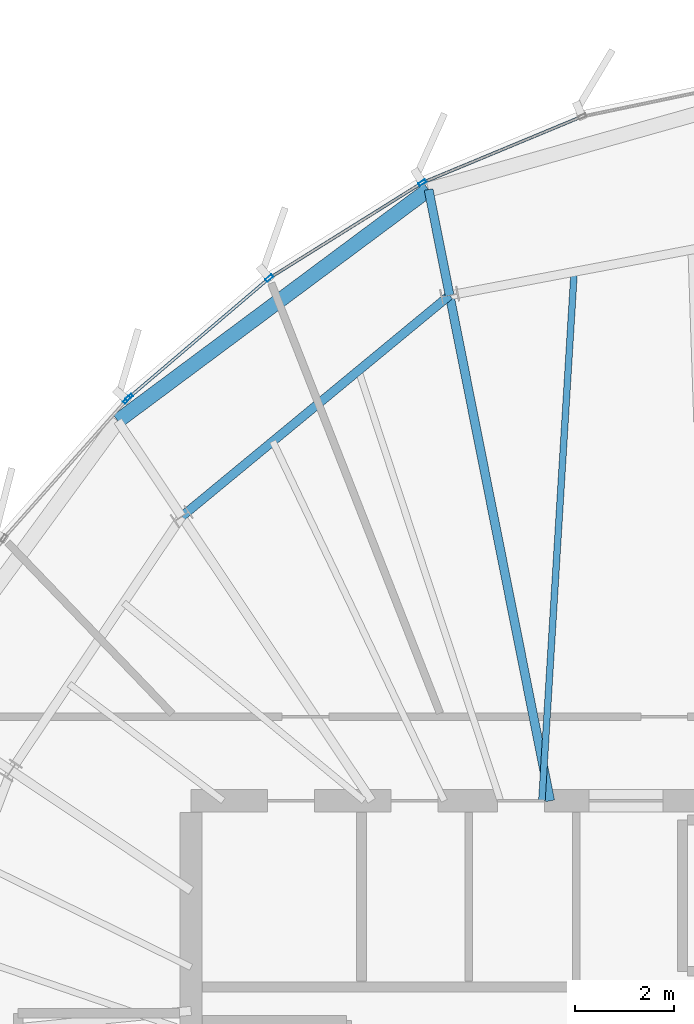
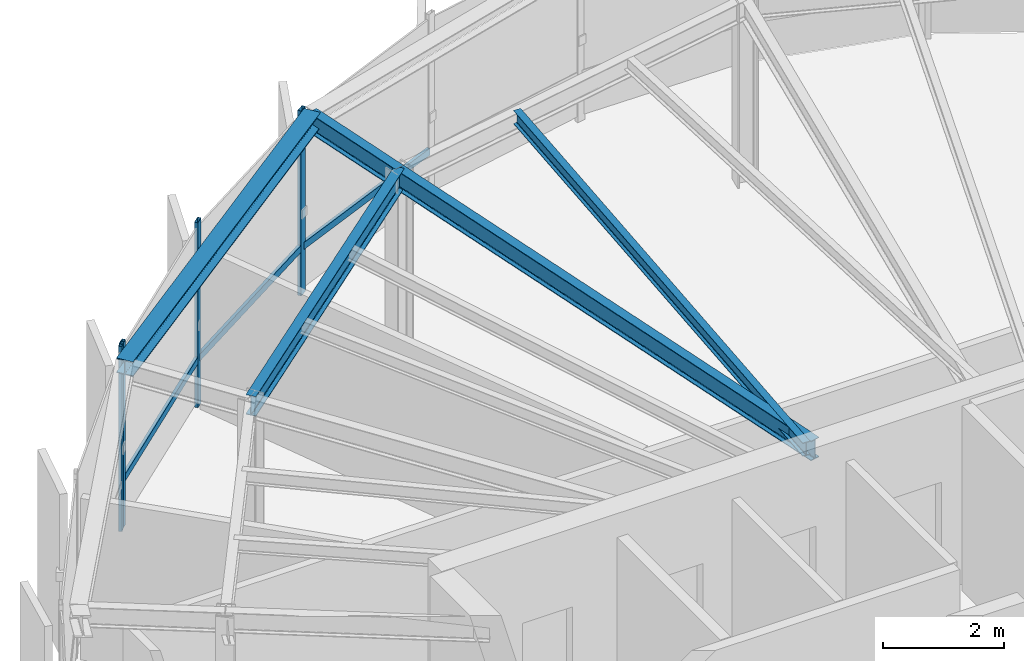
# One storey, part 15 of 27: 7 members, 5 beams, 2 elements without a shape of their own.
"""IFC4 building model written with IfcOpenShell, lengths in metres."""

from ifc_helpers import new_model, si_unit, direction, frame, origin, origin_2d, place, context, subcontext, project, spatial, hollow_rectangle, i_section, extrude, source, transform, mapped, material, layer, layer_set, material_profile, profile_set, type_object, element, aggregate, save


model = new_model("IFC4")

# Units and contexts
model_context = context("Model", 3, precision=1e-05, world=origin(), true_north=direction((0.0, 1.0)))
body_context = subcontext(model_context, "Body", "Model", "MODEL_VIEW")
ifc_project = project(units=[si_unit("LENGTHUNIT", "METRE"), si_unit("AREAUNIT", "SQUARE_METRE"), si_unit("VOLUMEUNIT", "CUBIC_METRE"), si_unit("PLANEANGLEUNIT", "RADIAN"), si_unit("MASSUNIT", "GRAM", prefix="KILO"), si_unit("THERMODYNAMICTEMPERATUREUNIT", "KELVIN")], contexts=[model_context])

# Site, building, storey
site_placement = place(None, origin())
site = spatial("IfcSite", under=ifc_project, at=site_placement, CompositionType="ELEMENT")
building_placement = place(site_placement, origin())
building = spatial("IfcBuilding", under=site, at=building_placement, Name="Kethvar Cultural Tower", CompositionType="ELEMENT")
storey_placement = place(building_placement, frame((0.0, 0.0, 308.300048828125)))
storey = spatial("IfcBuildingStorey", under=building, at=storey_placement, Name="L82", CompositionType="ELEMENT", Elevation=308.300048828125)

# Beams
ifc_material_1 = material(Name="Steel S355J2", Category="steel")
ifc_material_profile_1 = material_profile(ifc_material_1, i_section(OverallWidth=0.135009765625, OverallDepth=0.27001953125, WebThickness=0.006591796875, FlangeThickness=0.01025390625, FilletRadius=0.014892578125, at=origin_2d()), Name="Steel S355J2 — IPE270")
ifc_profile_set_1 = profile_set([ifc_material_profile_1], Name="Steel S355J2 — IPE270")
beam_type_1 = type_object("IfcBeamType", Name="BM-J270", PredefinedType="JOIST", material=ifc_profile_set_1)
shared_shape_1 = source(origin(), body_context, "Body", "SweptSolid", [
    extrude(i_section(OverallWidth=0.135009765625, OverallDepth=0.27001953125, WebThickness=0.006591796875, FlangeThickness=0.01025390625, FilletRadius=0.014892578125, at=origin_2d()), origin(), (0.0, 0.0, 1.0), 10.727783203125),
])
beam_1_placement = place(storey_placement, frame((45.10009765625, 35.5, 3.597900390625), z_axis=(0.060876395586, 0.998145312297, 0.0), x_axis=(-0.998145312297, 0.060876395586, 0.0)))
element("IfcBeam", 1, at=beam_1_placement, inside=storey, type_object=beam_type_1, Name="L82 Composite Floor Joist J-04B", PredefinedType="JOIST", context=body_context, shape_type="MappedRepresentation", body=[
    mapped(shared_shape_1, transform((0.0, 0.0, 0.0), scale=1.0)),
])
ifc_material_profile_2 = material_profile(ifc_material_1, i_section(OverallWidth=0.179931640625, OverallDepth=0.39990234375, WebThickness=0.008544921875, FlangeThickness=0.013427734375, FilletRadius=0.02099609375, at=origin_2d()), Name="Steel S355J2 — IPE400")
ifc_profile_set_2 = profile_set([ifc_material_profile_2], Name="Steel S355J2 — IPE400")
beam_type_2 = type_object("IfcBeamType", Name="BM-IPE400", PredefinedType="BEAM", material=ifc_profile_set_2)
shared_shape_2 = source(origin(), body_context, "Body", "SweptSolid", [
    extrude(i_section(OverallWidth=0.179931640625, OverallDepth=0.39990234375, WebThickness=0.008544921875, FlangeThickness=0.013427734375, FilletRadius=0.02099609375, at=origin_2d()), origin(), (0.0, 0.0, 1.0), 10.432861328125),
])
beam_2_placement = place(storey_placement, frame((45.268310546875, 35.5, 3.532958984375), z_axis=(-0.195094483249, 0.980784452673, 0.0), x_axis=(-0.980784452673, -0.195094483249, 0.0)))
element("IfcBeam", 2, at=beam_2_placement, inside=storey, type_object=beam_type_2, Name="L82 Primary Radial Beam RB-05", PredefinedType="BEAM", context=body_context, shape_type="MappedRepresentation", body=[
    mapped(shared_shape_2, transform((0.0, 0.0, 0.0), scale=1.0)),
])
shared_shape_3 = source(origin(), body_context, "Body", "SweptSolid", [
    extrude(i_section(OverallWidth=0.179931640625, OverallDepth=0.39990234375, WebThickness=0.008544921875, FlangeThickness=0.013427734375, FilletRadius=0.02099609375, at=origin_2d()), origin(), (0.0, 0.0, 1.0), 7.03271484375),
])
beam_3_placement = place(storey_placement, frame((43.23291015625, 45.732421875, 3.532958984375), z_axis=(-0.771161072103, -0.636640087391, 0.0), x_axis=(0.636640087391, -0.771161072103, 0.0)))
element("IfcBeam", 3, at=beam_3_placement, inside=storey, type_object=beam_type_2, Name="L82 Column Ring Tie Beam CR-05", PredefinedType="BEAM", context=body_context, shape_type="MappedRepresentation", body=[
    mapped(shared_shape_3, transform((0.0, 0.0, 0.0), scale=1.0)),
])
shared_shape_4 = source(origin(), body_context, "Body", "SweptSolid", [
    extrude(i_section(OverallWidth=0.179931640625, OverallDepth=0.39990234375, WebThickness=0.008544921875, FlangeThickness=0.013427734375, FilletRadius=0.02099609375, at=origin_2d()), origin(), (0.0, 0.0, 1.0), 2.18310546875),
])
beam_4_placement = place(storey_placement, frame((43.23291015625, 45.732421875, 3.532958984375), z_axis=(-0.195040678258, 0.980795153855, 0.0), x_axis=(-0.980795153855, -0.195040678258, 0.0)))
element("IfcBeam", 4, at=beam_4_placement, inside=storey, type_object=beam_type_2, Name="L82 Perimeter Cantilever Beam RC-05", PredefinedType="BEAM", context=body_context, shape_type="MappedRepresentation", body=[
    mapped(shared_shape_4, transform((0.0, 0.0, 0.0), scale=1.0)),
])
ifc_material_profile_3 = material_profile(ifc_material_1, i_section(OverallWidth=0.300048828125, OverallDepth=0.300048828125, WebThickness=0.010986328125, FlangeThickness=0.01904296875, FilletRadius=0.027099609375, at=origin_2d()), Name="Steel S355J2 — HEB300")
ifc_profile_set_3 = profile_set([ifc_material_profile_3], Name="Steel S355J2 — HEB300")
beam_type_3 = type_object("IfcBeamType", Name="BM-SP300", PredefinedType="SPANDREL", material=ifc_profile_set_3)
shared_shape_5 = source(origin(), body_context, "Body", "SweptSolid", [
    extrude(i_section(OverallWidth=0.300048828125, OverallDepth=0.300048828125, WebThickness=0.010986328125, FlangeThickness=0.01904296875, FilletRadius=0.027099609375, at=origin_2d()), origin(), (0.0, 0.0, 1.0), 7.842529296875),
])
beam_5_placement = place(storey_placement, frame((42.80712890625, 47.87353515625, 3.5830078125), z_axis=(-0.802109418699, -0.597177093026, 0.0), x_axis=(0.597177093026, -0.802109418699, 0.0)))
element("IfcBeam", 5, at=beam_5_placement, inside=storey, type_object=beam_type_3, Name="L82 Perimeter Spandrel Beam SP-05", PredefinedType="SPANDREL", context=body_context, shape_type="MappedRepresentation", body=[
    mapped(shared_shape_5, transform((0.0, 0.0, 0.0), scale=1.0)),
])

# Curtain wall, members
ifc_material_2 = material(Name="Aluminium 6063-T6", Category="aluminium")
ifc_layer = layer(ifc_material_2, 0.179931640625, Name="Aluminium 6063-T6", Category="aluminium")
ifc_layer_set = layer_set([ifc_layer], Name="Aluminium 6063-T6 (180 mm)")
curtain_wall_type = type_object("IfcCurtainWallType", Name="CW-SYS-06-CROWN", PredefinedType="NOTDEFINED", material=ifc_layer_set)
curtain_wall_1_placement = place(storey_placement, origin())
curtain_wall_1 = element("IfcCurtainWall", 6, at=curtain_wall_1_placement, inside=storey, type_object=curtain_wall_type, Name="L82 Curtain Wall Run 01", PredefinedType="NOTDEFINED")
ifc_material_profile_4 = material_profile(ifc_material_2, hollow_rectangle(XDim=0.06494140625, YDim=0.159912109375, WallThickness=0.0048828125, at=origin_2d()), Name="Aluminium 6063-T6 — RHS160x65x5")
ifc_profile_set_4 = profile_set([ifc_material_profile_4], Name="Aluminium 6063-T6 — RHS160x65x5")
member_type_1 = type_object("IfcMemberType", Name="CW-SYS-06-CROWN-MUL", PredefinedType="MULLION", material=ifc_profile_set_4)
shared_shape_6 = source(origin(), body_context, "Body", "SweptSolid", [
    extrude(hollow_rectangle(XDim=0.06494140625, YDim=0.159912109375, WallThickness=0.0048828125, at=origin_2d()), origin(), (0.0, 0.0, 1.0), 3.73486328125),
])
member_1_placement = place(storey_placement, frame((42.68017578125, 48.012451171875, 0.0), z_axis=(0.0, 0.0, 1.0), x_axis=(0.529134572358, -0.848537921566, 0.0)))
member_1 = element("IfcMember", 7, at=member_1_placement, type_object=member_type_1, Name="CW-L82-R01 Mullion 5", PredefinedType="MULLION", context=body_context, shape_type="MappedRepresentation", body=[
    mapped(shared_shape_6, transform((0.0, 0.0, 0.0), scale=1.0)),
])
member_2_placement = place(storey_placement, frame((39.58154296875, 46.08154296875, 0.0), z_axis=(0.0, 0.0, 1.0), x_axis=(0.648319249113, -0.761368604048, 0.0)))
member_2 = element("IfcMember", 8, at=member_2_placement, type_object=member_type_1, Name="CW-L82-R01 Mullion 6", PredefinedType="MULLION", context=body_context, shape_type="MappedRepresentation", body=[
    mapped(shared_shape_6, transform((0.0, 0.0, 0.0), scale=1.0)),
])
member_3_placement = place(storey_placement, frame((36.744873046875, 43.666015625, 0.0), z_axis=(0.0, 0.0, 1.0), x_axis=(0.648319249113, -0.761368604048, 0.0)))
member_3 = element("IfcMember", 9, at=member_3_placement, type_object=member_type_1, Name="CW-L82-R01 Mullion 7", PredefinedType="MULLION", context=body_context, shape_type="MappedRepresentation", body=[
    mapped(shared_shape_6, transform((0.0, 0.0, 0.0), scale=1.0)),
])

# Curtain wall, member
curtain_wall_2_placement = place(storey_placement, origin())
curtain_wall_2 = element("IfcCurtainWall", 10, at=curtain_wall_2_placement, inside=storey, type_object=curtain_wall_type, Name="L82 Curtain Wall Run 02", PredefinedType="NOTDEFINED")
member_4_placement = place(storey_placement, frame((36.696533203125, 43.618896484375, 0.0), z_axis=(0.0, 0.0, 1.0), x_axis=(0.747913956092, -0.663795687153, 0.0)))
member_4 = element("IfcMember", 11, at=member_4_placement, type_object=member_type_1, Name="CW-L82-R02 Mullion 1", PredefinedType="MULLION", context=body_context, shape_type="MappedRepresentation", body=[
    mapped(shared_shape_6, transform((0.0, 0.0, 0.0), scale=1.0)),
])
aggregate(curtain_wall_2, [member_4])

# Member
ifc_material_profile_5 = material_profile(ifc_material_2, hollow_rectangle(XDim=0.06005859375, YDim=0.139892578125, WallThickness=0.0048828125, at=origin_2d()), Name="Aluminium 6063-T6 — RHS140x60x5")
ifc_profile_set_5 = profile_set([ifc_material_profile_5], Name="Aluminium 6063-T6 — RHS140x60x5")
member_type_2 = type_object("IfcMemberType", Name="CW-SYS-06-CROWN-TRN", PredefinedType="USERDEFINED", material=ifc_profile_set_5)
shared_shape_7 = source(origin(), body_context, "Body", "SweptSolid", [
    extrude(hollow_rectangle(XDim=0.06005859375, YDim=0.139892578125, WallThickness=0.0048828125, at=origin_2d()), origin(), (0.0, 0.0, 1.0), 3.426025390625),
])
member_5_placement = place(storey_placement, frame((45.869873046875, 49.33544921875, 0.949951171875), z_axis=(-0.923506425125, -0.383582954201, 0.0), x_axis=(0.383582954201, -0.923506425125, 0.0)))
member_5 = element("IfcMember", 12, at=member_5_placement, type_object=member_type_2, Name="CW-L82-R01 Transom 4", ObjectType="TRANSOM", PredefinedType="USERDEFINED", context=body_context, shape_type="MappedRepresentation", body=[
    mapped(shared_shape_7, transform((0.0, 0.0, 0.0), scale=1.0)),
])

shared_shape_8 = source(origin(), body_context, "Body", "SweptSolid", [
    extrude(hollow_rectangle(XDim=0.06005859375, YDim=0.139892578125, WallThickness=0.0048828125, at=origin_2d()), origin(), (0.0, 0.0, 1.0), 3.574951171875),
])
member_6_placement = place(storey_placement, frame((42.640380859375, 47.987548828125, 0.949951171875), z_axis=(-0.84853883383, -0.529133109418, 0.0), x_axis=(0.529133109418, -0.84853883383, 0.0)))
member_6 = element("IfcMember", 13, at=member_6_placement, type_object=member_type_2, Name="CW-L82-R01 Transom 5", ObjectType="TRANSOM", PredefinedType="USERDEFINED", context=body_context, shape_type="MappedRepresentation", body=[
    mapped(shared_shape_8, transform((0.0, 0.0, 0.0), scale=1.0)),
])

shared_shape_9 = source(origin(), body_context, "Body", "SweptSolid", [
    extrude(hollow_rectangle(XDim=0.06005859375, YDim=0.139892578125, WallThickness=0.0048828125, at=origin_2d()), origin(), (0.0, 0.0, 1.0), 3.67431640625),
])
member_7_placement = place(storey_placement, frame((39.5458984375, 46.05126953125, 0.949951171875), z_axis=(-0.761386558584, -0.648298163199, 0.0), x_axis=(0.648298163199, -0.761386558584, 0.0)))
member_7 = element("IfcMember", 14, at=member_7_placement, type_object=member_type_2, Name="CW-L82-R01 Transom 6", ObjectType="TRANSOM", PredefinedType="USERDEFINED", context=body_context, shape_type="MappedRepresentation", body=[
    mapped(shared_shape_9, transform((0.0, 0.0, 0.0), scale=1.0)),
])

aggregate(curtain_wall_1, [member_1, member_2, member_3, member_5, member_6, member_7])

save(model, "model.ifc")
